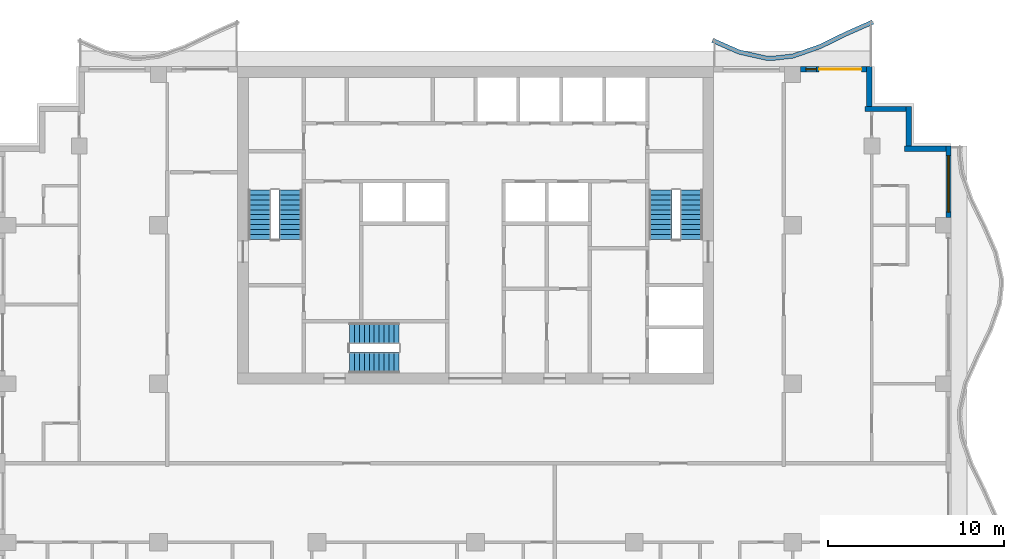
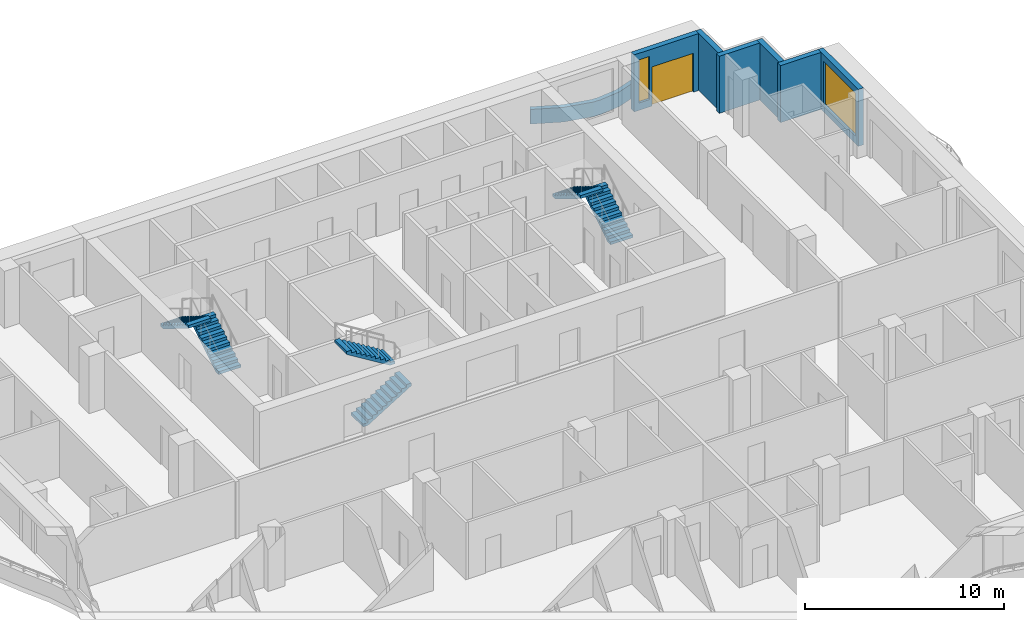
# One storey, part 7 of 11: 7 walls, 6 stair flights, 2 windows, 1 door, 3 openings, 3 elements without a shape of their own.
"""IFC4 building model written with IfcOpenShell, lengths in metres."""

from ifc_helpers import new_model, si_unit, direction, frame, frame_2d, origin, place, context, subcontext, project, spatial, polyline, rectangle, outline, extrude, material, layer, layer_set, type_object, element, fill, aggregate, save


model = new_model("IFC4")

# Units and contexts
model_context = context("Model", 3, precision=1e-05, world=origin(), true_north=direction((0.0, 1.0)))
body_context = subcontext(model_context, "Body", "Model", "MODEL_VIEW")
ifc_project = project(units=[si_unit("LENGTHUNIT", "METRE"), si_unit("AREAUNIT", "SQUARE_METRE"), si_unit("VOLUMEUNIT", "CUBIC_METRE"), si_unit("PLANEANGLEUNIT", "RADIAN"), si_unit("MASSUNIT", "GRAM", prefix="KILO")], contexts=[model_context])

# Site, building, storey
site_placement = place(None, origin())
site = spatial("IfcSite", under=ifc_project, at=site_placement, CompositionType="ELEMENT")
building_placement = place(site_placement, origin())
building = spatial("IfcBuilding", under=site, at=building_placement, Name="Orbiselva Terraces", CompositionType="ELEMENT")
storey_placement = place(building_placement, frame((0.0, 0.0, 254.0)))
storey = spatial("IfcBuildingStorey", under=building, at=storey_placement, Name="L64", CompositionType="ELEMENT", Elevation=254.0)

# Wall
ifc_material_1 = material(Name="Concrete C40/50", Category="concrete")
ifc_layer_1 = layer(ifc_material_1, 0.25)
ifc_layer_set_1 = layer_set([ifc_layer_1], Name="Concrete C40/50")
wall_type_1 = type_object("IfcWallType", Name="ENV-PLANTER-250x900", PredefinedType="USERDEFINED", material=ifc_layer_set_1)
wall_1_placement = place(storey_placement, origin())
element("IfcWall", 1, at=wall_1_placement, inside=storey, type_object=wall_type_1, Name="Balcony planter L64 NE", ObjectType="PLANTER", PredefinedType="USERDEFINED", context=body_context, shape_type="SweptSolid", body=[
    extrude(outline(polyline([(22.5, 25.148528), (21.0, 24.487721), (19.5, 23.755211), (18.0, 23.230792), (16.875, 23.1), (16.5, 23.114774), (15.0, 23.451472), (13.5, 24.112279), (13.399212, 23.883496), (14.921492, 23.212874), (16.467435, 22.865863), (16.884572, 22.849429), (18.056371, 22.985662), (19.59644, 23.524089), (21.105286, 24.260919), (22.600788, 24.919745), (22.5, 25.148528)])), origin(), (0.0, 0.0, 1.0), 0.9),
])

# Wall, opening, window
ifc_material_2 = material(Name="Terracotta cladding on masonry backing", Category="masonry")
ifc_layer_2 = layer(ifc_material_2, 0.3)
ifc_layer_set_2 = layer_set([ifc_layer_2], Name="Terracotta cladding on masonry backing")
wall_type_2 = type_object("IfcWallType", Name="ENV-WALL-TERRACOTTA-300", PredefinedType="SOLIDWALL", material=ifc_layer_set_2)
wall_2_placement = place(storey_placement, frame((26.85, 18.0, 0.0), z_axis=(0.0, 0.0, 1.0), x_axis=(0.0, -1.0, 0.0)))
wall_2 = element("IfcWall", 2, at=wall_2_placement, inside=storey, type_object=wall_type_2, Name="Facade wall L64 E", PredefinedType="SOLIDWALL", context=body_context, shape_type="SweptSolid", body=[
    extrude(rectangle(XDim=4.05, YDim=0.3, at=frame_2d((2.025, 0.0))), origin(), (0.0, 0.0, 1.0), 3.5),
])
opening_1_placement = place(wall_2_placement, frame((0.55, 0.0, 0.45)))
opening_1 = element("IfcOpeningElement", 3, at=opening_1_placement, cuts=wall_2, Name="Opening WN17", PredefinedType="OPENING", context=body_context, shape_type="SweptSolid", body=[
    extrude(rectangle(XDim=3.2, YDim=2.65, at=frame_2d((1.6, 1.325))), frame((0.0, 0.16, 0.0), z_axis=(0.0, -1.0, 0.0), x_axis=(1.0, 0.0, 0.0)), (0.0, 0.0, 1.0), 0.32),
])
ifc_material_3 = material(Name="Clear low-e glazing in aluminium frame", Category="aluminium")
window_type_1 = type_object("IfcWindowType", Name="WINDOW 3200 X 2650 S450", PartitioningType="TRIPLE_PANEL_VERTICAL", PredefinedType="WINDOW", material=ifc_material_3)
window_1_placement = place(opening_1_placement, origin())
window_1 = element("IfcWindow", 4, at=window_1_placement, inside=storey, type_object=window_type_1, Name="Window L64 E", OverallHeight=2.65, OverallWidth=3.2, PartitioningType="SINGLE_PANEL", PredefinedType="WINDOW", context=body_context, shape_type="SweptSolid", body=[
    extrude(rectangle(XDim=3.2, YDim=2.65, at=frame_2d((1.6, 1.325))), frame((0.0, 0.03, 0.0), z_axis=(0.0, -1.0, 0.0), x_axis=(1.0, 0.0, 0.0)), (0.0, 0.0, 1.0), 0.06),
])
fill(opening_1, window_1)

# Walls
wall_3_placement = place(storey_placement, frame((24.35, 17.85, 0.0), z_axis=(0.0, 0.0, 1.0), x_axis=(1.0, 0.0, 0.0)))
element("IfcWall", 5, at=wall_3_placement, inside=storey, type_object=wall_type_2, Name="Facade wall L64 STEP", PredefinedType="SOLIDWALL", context=body_context, shape_type="SweptSolid", body=[
    extrude(rectangle(XDim=2.35, YDim=0.3, at=frame_2d((1.175, 0.0))), origin(), (0.0, 0.0, 1.0), 3.5),
])
wall_4_placement = place(storey_placement, frame((24.6, 20.25, 0.0), z_axis=(0.0, 0.0, 1.0), x_axis=(0.0, -1.0, 0.0)))
element("IfcWall", 6, at=wall_4_placement, inside=storey, type_object=wall_type_2, Name="Facade wall L64 STEP", PredefinedType="SOLIDWALL", context=body_context, shape_type="SweptSolid", body=[
    extrude(rectangle(XDim=2.25, YDim=0.3, at=frame_2d((1.125, 0.0))), origin(), (0.0, 0.0, 1.0), 3.5),
])
wall_5_placement = place(storey_placement, frame((22.1, 20.1, 0.0), z_axis=(0.0, 0.0, 1.0), x_axis=(1.0, 0.0, 0.0)))
element("IfcWall", 7, at=wall_5_placement, inside=storey, type_object=wall_type_2, Name="Facade wall L64 STEP", PredefinedType="SOLIDWALL", context=body_context, shape_type="SweptSolid", body=[
    extrude(rectangle(XDim=2.35, YDim=0.3, at=frame_2d((1.175, 0.0))), origin(), (0.0, 0.0, 1.0), 3.5),
])
wall_6_placement = place(storey_placement, frame((22.35, 22.5, 0.0), z_axis=(0.0, 0.0, 1.0), x_axis=(0.0, -1.0, 0.0)))
element("IfcWall", 8, at=wall_6_placement, inside=storey, type_object=wall_type_2, Name="Facade wall L64 STEP", PredefinedType="SOLIDWALL", context=body_context, shape_type="SweptSolid", body=[
    extrude(rectangle(XDim=2.25, YDim=0.3, at=frame_2d((1.125, 0.0))), origin(), (0.0, 0.0, 1.0), 3.5),
])

# Wall, openings, door, window
wall_7_placement = place(storey_placement, frame((18.45, 22.35, 0.0), z_axis=(0.0, 0.0, 1.0), x_axis=(1.0, 0.0, 0.0)))
wall_7 = element("IfcWall", 9, at=wall_7_placement, inside=storey, type_object=wall_type_2, Name="Facade wall L64 NE", PredefinedType="SOLIDWALL", context=body_context, shape_type="SweptSolid", body=[
    extrude(rectangle(XDim=3.75, YDim=0.3, at=frame_2d((1.875, 0.0))), origin(), (0.0, 0.0, 1.0), 3.5),
])
opening_2_placement = place(wall_7_placement, frame((1.05, 0.0, 0.0)))
opening_2 = element("IfcOpeningElement", 10, at=opening_2_placement, cuts=wall_7, Name="Opening Z5-B-E15", PredefinedType="OPENING", context=body_context, shape_type="SweptSolid", body=[
    extrude(rectangle(XDim=2.4, YDim=2.4, at=frame_2d((1.2, 1.2))), frame((0.0, 0.16, 0.0), z_axis=(0.0, -1.0, 0.0), x_axis=(1.0, 0.0, 0.0)), (0.0, 0.0, 1.0), 0.32),
])
opening_3_placement = place(wall_7_placement, frame((0.3, 0.0, 0.45)))
opening_3 = element("IfcOpeningElement", 11, at=opening_3_placement, cuts=wall_7, Name="Opening WN18", PredefinedType="OPENING", context=body_context, shape_type="SweptSolid", body=[
    extrude(rectangle(XDim=0.6, YDim=2.65, at=frame_2d((0.3, 1.325))), frame((0.0, 0.16, 0.0), z_axis=(0.0, -1.0, 0.0), x_axis=(1.0, 0.0, 0.0)), (0.0, 0.0, 1.0), 0.32),
])
door_type = type_object("IfcDoorType", Name="BALCONY DOOR 2400 X 2400", OperationType="DOUBLE_DOOR_SLIDING", PredefinedType="DOOR", material=ifc_material_3)
door_placement = place(opening_2_placement, origin())
door = element("IfcDoor", 12, at=door_placement, inside=storey, type_object=door_type, Name="Z5-B-E15", OperationType="SINGLE_SWING_LEFT", OverallHeight=2.4, OverallWidth=2.4, PredefinedType="DOOR", context=body_context, shape_type="SweptSolid", body=[
    extrude(rectangle(XDim=2.4, YDim=2.4, at=frame_2d((1.2, 1.2))), frame((0.0, 0.025, 0.0), z_axis=(0.0, -1.0, 0.0), x_axis=(1.0, 0.0, 0.0)), (0.0, 0.0, 1.0), 0.05),
])
fill(opening_2, door)
window_type_2 = type_object("IfcWindowType", Name="WINDOW 600 X 2650 S450", PartitioningType="TRIPLE_PANEL_VERTICAL", PredefinedType="WINDOW", material=ifc_material_3)
window_2_placement = place(opening_3_placement, origin())
window_2 = element("IfcWindow", 13, at=window_2_placement, inside=storey, type_object=window_type_2, Name="Window L64 NE", OverallHeight=2.65, OverallWidth=0.6, PartitioningType="SINGLE_PANEL", PredefinedType="WINDOW", context=body_context, shape_type="SweptSolid", body=[
    extrude(rectangle(XDim=0.6, YDim=2.65, at=frame_2d((0.3, 1.325))), frame((0.0, 0.03, 0.0), z_axis=(0.0, -1.0, 0.0), x_axis=(1.0, 0.0, 0.0)), (0.0, 0.0, 1.0), 0.06),
])
fill(opening_3, window_2)

# Stair, stair flights
stair_type_1 = type_object("IfcStairType", Name="CORE-STAIR-1200", PredefinedType="HALF_TURN_STAIR", material=ifc_material_1)
stair_1_placement = place(storey_placement, origin())
stair_1 = element("IfcStair", 14, at=stair_1_placement, inside=storey, type_object=stair_type_1, Name="L64 Exit Stair S3", PredefinedType="HALF_TURN_STAIR")
stair_flight_type_1 = type_object("IfcStairFlightType", Name="CORE-STAIR-FLIGHT-1200", PredefinedType="STRAIGHT", material=ifc_material_1)
stair_flight_1_placement = place(storey_placement, frame((-7.15, 5.7, 0.0), z_axis=(0.0, 0.0, 1.0), x_axis=(1.0, 0.0, 0.0)))
stair_flight_1 = element("IfcStairFlight", 15, at=stair_flight_1_placement, type_object=stair_flight_type_1, Name="S3 flight 1", NumberOfRisers=11, NumberOfTreads=10, PredefinedType="STRAIGHT", RiserHeight=0.172727273, TreadLength=0.28, context=body_context, shape_type="SweptSolid", body=[
    extrude(outline(polyline([(0.0, 0.0), (0.0, 0.172727), (0.28, 0.172727), (0.28, 0.345455), (0.56, 0.345455), (0.56, 0.518182), (0.84, 0.518182), (0.84, 0.690909), (1.12, 0.690909), (1.12, 0.863636), (1.4, 0.863636), (1.4, 1.036364), (1.68, 1.036364), (1.68, 1.209091), (1.96, 1.209091), (1.96, 1.381818), (2.24, 1.381818), (2.24, 1.554545), (2.52, 1.554545), (2.52, 1.727273), (2.8, 1.727273), (2.8, 1.9), (2.8, 1.551028), (0.285702, 0.0), (0.0, 0.0)])), frame((0.0, 0.6, 0.0), z_axis=(0.0, -1.0, 0.0), x_axis=(1.0, 0.0, 0.0)), (0.0, 0.0, 1.0), 1.2),
])
stair_flight_2_placement = place(storey_placement, frame((-4.35, 7.35, 1.9), z_axis=(0.0, 0.0, 1.0), x_axis=(-1.0, 0.0, 0.0)))
stair_flight_2 = element("IfcStairFlight", 16, at=stair_flight_2_placement, type_object=stair_flight_type_1, Name="S3 flight 2", NumberOfRisers=11, NumberOfTreads=10, PredefinedType="STRAIGHT", RiserHeight=0.172727273, TreadLength=0.28, context=body_context, shape_type="SweptSolid", body=[
    extrude(outline(polyline([(0.0, 0.0), (0.0, 0.172727), (0.28, 0.172727), (0.28, 0.345455), (0.56, 0.345455), (0.56, 0.518182), (0.84, 0.518182), (0.84, 0.690909), (1.12, 0.690909), (1.12, 0.863636), (1.4, 0.863636), (1.4, 1.036364), (1.68, 1.036364), (1.68, 1.209091), (1.96, 1.209091), (1.96, 1.381818), (2.24, 1.381818), (2.24, 1.554545), (2.52, 1.554545), (2.52, 1.727273), (2.8, 1.727273), (2.8, 1.9), (2.8, 1.551028), (0.285702, 0.0), (0.0, 0.0)])), frame((0.0, 0.6, 0.0), z_axis=(0.0, -1.0, 0.0), x_axis=(1.0, 0.0, 0.0)), (0.0, 0.0, 1.0), 1.2),
])
aggregate(stair_1, [stair_flight_1, stair_flight_2])

stair_type_2 = type_object("IfcStairType", Name="CORE-STAIR-1300", PredefinedType="HALF_TURN_STAIR", material=ifc_material_1)
stair_2_placement = place(storey_placement, origin())
stair_2 = element("IfcStair", 17, at=stair_2_placement, inside=storey, type_object=stair_type_2, Name="L64 Exit Stair S1", PredefinedType="HALF_TURN_STAIR")
stair_flight_type_2 = type_object("IfcStairFlightType", Name="CORE-STAIR-FLIGHT-1300", PredefinedType="STRAIGHT", material=ifc_material_1)
stair_flight_3_placement = place(storey_placement, frame((-10.5, 12.7, 0.0), z_axis=(0.0, 0.0, 1.0), x_axis=(0.0, 1.0, 0.0)))
stair_flight_3 = element("IfcStairFlight", 18, at=stair_flight_3_placement, type_object=stair_flight_type_2, Name="S1 flight 1", NumberOfRisers=11, NumberOfTreads=10, PredefinedType="STRAIGHT", RiserHeight=0.172727273, TreadLength=0.28, context=body_context, shape_type="SweptSolid", body=[
    extrude(outline(polyline([(0.0, 0.0), (0.0, 0.172727), (0.28, 0.172727), (0.28, 0.345455), (0.56, 0.345455), (0.56, 0.518182), (0.84, 0.518182), (0.84, 0.690909), (1.12, 0.690909), (1.12, 0.863636), (1.4, 0.863636), (1.4, 1.036364), (1.68, 1.036364), (1.68, 1.209091), (1.96, 1.209091), (1.96, 1.381818), (2.24, 1.381818), (2.24, 1.554545), (2.52, 1.554545), (2.52, 1.727273), (2.8, 1.727273), (2.8, 1.9), (2.8, 1.551028), (0.285702, 0.0), (0.0, 0.0)])), frame((0.0, 0.65, 0.0), z_axis=(0.0, -1.0, 0.0), x_axis=(1.0, 0.0, 0.0)), (0.0, 0.0, 1.0), 1.3),
])
stair_flight_4_placement = place(storey_placement, frame((-12.25, 15.5, 1.9), z_axis=(0.0, 0.0, 1.0), x_axis=(0.0, -1.0, 0.0)))
stair_flight_4 = element("IfcStairFlight", 19, at=stair_flight_4_placement, type_object=stair_flight_type_2, Name="S1 flight 2", NumberOfRisers=11, NumberOfTreads=10, PredefinedType="STRAIGHT", RiserHeight=0.172727273, TreadLength=0.28, context=body_context, shape_type="SweptSolid", body=[
    extrude(outline(polyline([(0.0, 0.0), (0.0, 0.172727), (0.28, 0.172727), (0.28, 0.345455), (0.56, 0.345455), (0.56, 0.518182), (0.84, 0.518182), (0.84, 0.690909), (1.12, 0.690909), (1.12, 0.863636), (1.4, 0.863636), (1.4, 1.036364), (1.68, 1.036364), (1.68, 1.209091), (1.96, 1.209091), (1.96, 1.381818), (2.24, 1.381818), (2.24, 1.554545), (2.52, 1.554545), (2.52, 1.727273), (2.8, 1.727273), (2.8, 1.9), (2.8, 1.551028), (0.285702, 0.0), (0.0, 0.0)])), frame((0.0, 0.65, 0.0), z_axis=(0.0, -1.0, 0.0), x_axis=(1.0, 0.0, 0.0)), (0.0, 0.0, 1.0), 1.3),
])
aggregate(stair_2, [stair_flight_3, stair_flight_4])

stair_3_placement = place(storey_placement, origin())
stair_3 = element("IfcStair", 20, at=stair_3_placement, inside=storey, type_object=stair_type_2, Name="L64 Exit Stair S2", PredefinedType="HALF_TURN_STAIR")
stair_flight_5_placement = place(storey_placement, frame((12.25, 12.7, 0.0), z_axis=(0.0, 0.0, 1.0), x_axis=(0.0, 1.0, 0.0)))
stair_flight_5 = element("IfcStairFlight", 21, at=stair_flight_5_placement, type_object=stair_flight_type_2, Name="S2 flight 1", NumberOfRisers=11, NumberOfTreads=10, PredefinedType="STRAIGHT", RiserHeight=0.172727273, TreadLength=0.28, context=body_context, shape_type="SweptSolid", body=[
    extrude(outline(polyline([(0.0, 0.0), (0.0, 0.172727), (0.28, 0.172727), (0.28, 0.345455), (0.56, 0.345455), (0.56, 0.518182), (0.84, 0.518182), (0.84, 0.690909), (1.12, 0.690909), (1.12, 0.863636), (1.4, 0.863636), (1.4, 1.036364), (1.68, 1.036364), (1.68, 1.209091), (1.96, 1.209091), (1.96, 1.381818), (2.24, 1.381818), (2.24, 1.554545), (2.52, 1.554545), (2.52, 1.727273), (2.8, 1.727273), (2.8, 1.9), (2.8, 1.551028), (0.285702, 0.0), (0.0, 0.0)])), frame((0.0, 0.65, 0.0), z_axis=(0.0, -1.0, 0.0), x_axis=(1.0, 0.0, 0.0)), (0.0, 0.0, 1.0), 1.3),
])
stair_flight_6_placement = place(storey_placement, frame((10.5, 15.5, 1.9), z_axis=(0.0, 0.0, 1.0), x_axis=(0.0, -1.0, 0.0)))
stair_flight_6 = element("IfcStairFlight", 22, at=stair_flight_6_placement, type_object=stair_flight_type_2, Name="S2 flight 2", NumberOfRisers=11, NumberOfTreads=10, PredefinedType="STRAIGHT", RiserHeight=0.172727273, TreadLength=0.28, context=body_context, shape_type="SweptSolid", body=[
    extrude(outline(polyline([(0.0, 0.0), (0.0, 0.172727), (0.28, 0.172727), (0.28, 0.345455), (0.56, 0.345455), (0.56, 0.518182), (0.84, 0.518182), (0.84, 0.690909), (1.12, 0.690909), (1.12, 0.863636), (1.4, 0.863636), (1.4, 1.036364), (1.68, 1.036364), (1.68, 1.209091), (1.96, 1.209091), (1.96, 1.381818), (2.24, 1.381818), (2.24, 1.554545), (2.52, 1.554545), (2.52, 1.727273), (2.8, 1.727273), (2.8, 1.9), (2.8, 1.551028), (0.285702, 0.0), (0.0, 0.0)])), frame((0.0, 0.65, 0.0), z_axis=(0.0, -1.0, 0.0), x_axis=(1.0, 0.0, 0.0)), (0.0, 0.0, 1.0), 1.3),
])
aggregate(stair_3, [stair_flight_5, stair_flight_6])

save(model, "model.ifc")
